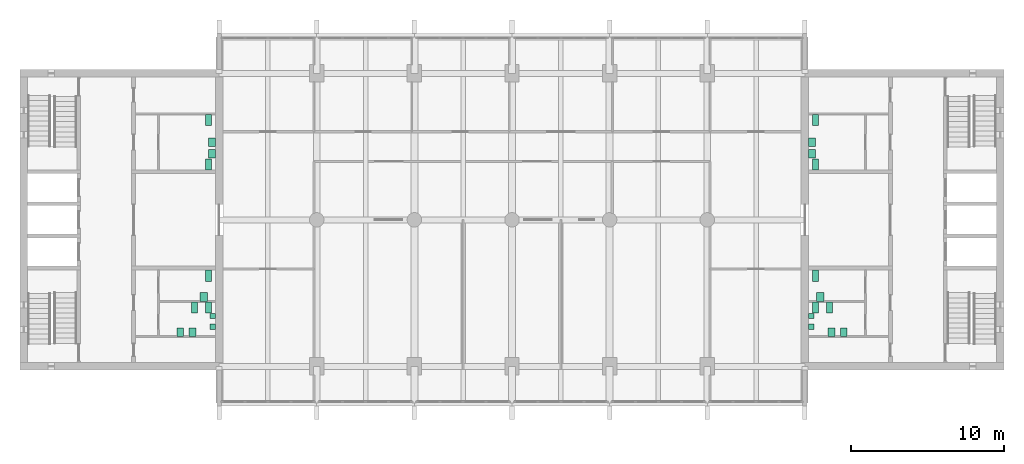
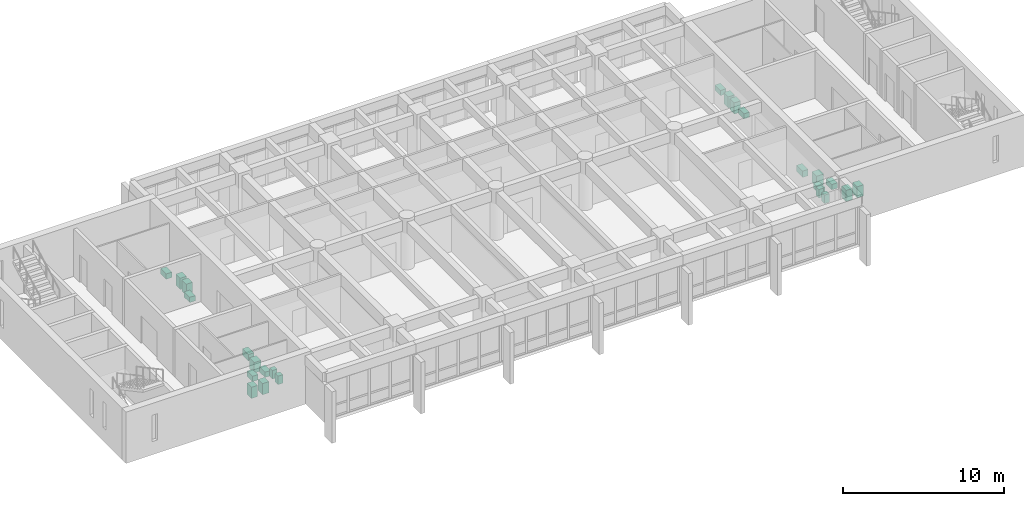
# One storey, part 15 of 15: 24 sanitary terminals.
"""IFC4 building model written with IfcOpenShell, lengths in metres."""

from ifc_helpers import new_model, si_unit, direction, frame, origin, origin_2d, place, context, subcontext, project, spatial, rectangle, extrude, material, type_object, element, save


model = new_model("IFC4")

# Units and contexts
model_context = context("Model", 3, precision=1e-05, world=origin(), true_north=direction((0.0, 1.0)))
body_context = subcontext(model_context, "Body", "Model", "MODEL_VIEW")
ifc_project = project(units=[si_unit("LENGTHUNIT", "METRE"), si_unit("AREAUNIT", "SQUARE_METRE"), si_unit("VOLUMEUNIT", "CUBIC_METRE"), si_unit("PLANEANGLEUNIT", "RADIAN"), si_unit("MASSUNIT", "GRAM", prefix="KILO")], contexts=[model_context])

# Site, building, storey
site_placement = place(None, origin())
site = spatial("IfcSite", under=ifc_project, at=site_placement, CompositionType="ELEMENT")
building_placement = place(site_placement, origin())
building = spatial("IfcBuilding", under=site, at=building_placement, Name="Fogon Plaza Fire Station and Headquarters Tower", CompositionType="ELEMENT")
storey_placement = place(building_placement, frame((0.0, 0.0, 40.5)))
storey = spatial("IfcBuildingStorey", under=building, at=storey_placement, Name="L10", CompositionType="ELEMENT", Elevation=40.5)

# Sanitary terminals
ifc_material_1 = material(Name="Vitreous china")
sanitary_terminal_type_1 = type_object("IfcSanitaryTerminalType", Name="Accessible Hand Basin 600x500", PredefinedType="WASHHANDBASIN", material=ifc_material_1)
for number, where, z_axis, x_axis, name in (
    (1, (24.60009765625, 38.14990234375, 0.0), (0.0, 0.0, 1.0), (1.0, 0.0, 0.0), "Accessible Hand Basin"),
    (2, (65.0, 38.14990234375, 0.0), (0.0, 0.0, 1.0), (1.0, 0.0, 0.0), "Accessible Hand Basin"),
):
    element("IfcSanitaryTerminal", number, at=place(storey_placement, frame(where, z_axis=z_axis, x_axis=x_axis)), inside=storey, type_object=sanitary_terminal_type_1, Name=name, PredefinedType="WASHHANDBASIN", context=body_context, shape_type="SweptSolid", body=[
        extrude(rectangle(XDim=0.5, YDim=0.60009765625, at=origin_2d()), origin(), (0.0, 0.0, 1.0), 0.800048828125),
    ])
ifc_material_2 = material(Name="Vitreous china")
sanitary_terminal_type_2 = type_object("IfcSanitaryTerminalType", Name="Accessible WC Pan 400x750", PredefinedType="TOILETPAN", material=ifc_material_2)
for number, where, z_axis, x_axis, name in (
    (3, (24.89990234375, 39.550048828125, 0.0), (0.0, 0.0, 1.0), (1.0, 0.0, 0.0), "Accessible WC Pan"),
    (4, (64.699951171875, 39.550048828125, 0.0), (0.0, 0.0, 1.0), (1.0, 0.0, 0.0), "Accessible WC Pan"),
):
    element("IfcSanitaryTerminal", number, at=place(storey_placement, frame(where, z_axis=z_axis, x_axis=x_axis)), inside=storey, type_object=sanitary_terminal_type_2, Name=name, PredefinedType="TOILETPAN", context=body_context, shape_type="SweptSolid", body=[
        extrude(rectangle(XDim=0.39990234375, YDim=0.75, at=origin_2d()), origin(), (0.0, 0.0, 1.0), 0.47998046875),
    ])
ifc_material_3 = material(Name="Vitreous china")
sanitary_terminal_type_3 = type_object("IfcSanitaryTerminalType", Name="Hand Basin 550x450", PredefinedType="WASHHANDBASIN", material=ifc_material_3)
for number, where, z_axis, x_axis, name in (
    (5, (23.85009765625, 35.824951171875, 0.0), (0.0, 0.0, 1.0), (1.0, 0.0, 0.0), "Hand Basin"),
    (6, (23.050048828125, 35.824951171875, 0.0), (0.0, 0.0, 1.0), (1.0, 0.0, 0.0), "Hand Basin"),
    (7, (25.125, 47.52490234375, 0.0), (0.0, 0.0, 1.0), (1.0, 0.0, 0.0), "Hand Basin"),
    (8, (25.125, 48.27490234375, 0.0), (0.0, 0.0, 1.0), (1.0, 0.0, 0.0), "Hand Basin"),
    (9, (65.75, 35.824951171875, 0.0), (0.0, 0.0, 1.0), (1.0, 0.0, 0.0), "Hand Basin"),
    (10, (66.550048828125, 35.824951171875, 0.0), (0.0, 0.0, 1.0), (1.0, 0.0, 0.0), "Hand Basin"),
    (11, (64.47509765625, 47.52490234375, 0.0), (0.0, 0.0, 1.0), (1.0, 0.0, 0.0), "Hand Basin"),
    (12, (64.47509765625, 48.27490234375, 0.0), (0.0, 0.0, 1.0), (1.0, 0.0, 0.0), "Hand Basin"),
):
    element("IfcSanitaryTerminal", number, at=place(storey_placement, frame(where, z_axis=z_axis, x_axis=x_axis)), inside=storey, type_object=sanitary_terminal_type_3, Name=name, PredefinedType="WASHHANDBASIN", context=body_context, shape_type="SweptSolid", body=[
        extrude(rectangle(XDim=0.449951171875, YDim=0.550048828125, at=origin_2d()), origin(), (0.0, 0.0, 1.0), 0.85009765625),
    ])
ifc_material_4 = material(Name="Vitreous china")
sanitary_terminal_type_4 = type_object("IfcSanitaryTerminalType", Name="Urinal 350x350", PredefinedType="URINAL", material=ifc_material_4)
for number, where, z_axis, x_axis, name in (
    (13, (25.175048828125, 36.199951171875, 0.0), (0.0, 0.0, 1.0), (1.0, 0.0, 0.0), "Urinal"),
    (14, (25.175048828125, 36.89990234375, 0.0), (0.0, 0.0, 1.0), (1.0, 0.0, 0.0), "Urinal"),
    (15, (64.425048828125, 36.199951171875, 0.0), (0.0, 0.0, 1.0), (1.0, 0.0, 0.0), "Urinal"),
    (16, (64.425048828125, 36.89990234375, 0.0), (0.0, 0.0, 1.0), (1.0, 0.0, 0.0), "Urinal"),
):
    element("IfcSanitaryTerminal", number, at=place(storey_placement, frame(where, z_axis=z_axis, x_axis=x_axis)), inside=storey, type_object=sanitary_terminal_type_4, Name=name, PredefinedType="URINAL", context=body_context, shape_type="SweptSolid", body=[
        extrude(rectangle(XDim=0.35009765625, YDim=0.35009765625, at=origin_2d()), origin(), (0.0, 0.0, 1.0), 0.64990234375),
    ])
ifc_material_5 = material(Name="Vitreous china")
sanitary_terminal_type_5 = type_object("IfcSanitaryTerminalType", Name="WC Pan 400x700", PredefinedType="TOILETPAN", material=ifc_material_5)
for number, where, z_axis, x_axis, name in (
    (17, (24.89990234375, 37.449951171875, 0.0), (0.0, 0.0, 1.0), (1.0, 0.0, 0.0), "WC Pan"),
    (18, (24.0, 37.449951171875, 0.0), (0.0, 0.0, 1.0), (1.0, 0.0, 0.0), "WC Pan"),
    (19, (24.89990234375, 49.75, 0.0), (0.0, 0.0, 1.0), (1.0, 0.0, 0.0), "WC Pan"),
    (20, (24.89990234375, 46.824951171875, 0.0), (0.0, 0.0, 1.0), (1.0, 0.0, 0.0), "WC Pan"),
    (21, (64.699951171875, 37.449951171875, 0.0), (0.0, 0.0, 1.0), (1.0, 0.0, 0.0), "WC Pan"),
    (22, (65.60009765625, 37.449951171875, 0.0), (0.0, 0.0, 1.0), (1.0, 0.0, 0.0), "WC Pan"),
    (23, (64.699951171875, 49.75, 0.0), (0.0, 0.0, 1.0), (1.0, 0.0, 0.0), "WC Pan"),
    (24, (64.699951171875, 46.824951171875, 0.0), (0.0, 0.0, 1.0), (1.0, 0.0, 0.0), "WC Pan"),
):
    element("IfcSanitaryTerminal", number, at=place(storey_placement, frame(where, z_axis=z_axis, x_axis=x_axis)), inside=storey, type_object=sanitary_terminal_type_5, Name=name, PredefinedType="TOILETPAN", context=body_context, shape_type="SweptSolid", body=[
        extrude(rectangle(XDim=0.39990234375, YDim=0.699951171875, at=origin_2d()), origin(), (0.0, 0.0, 1.0), 0.39990234375),
    ])

save(model, "model.ifc")
